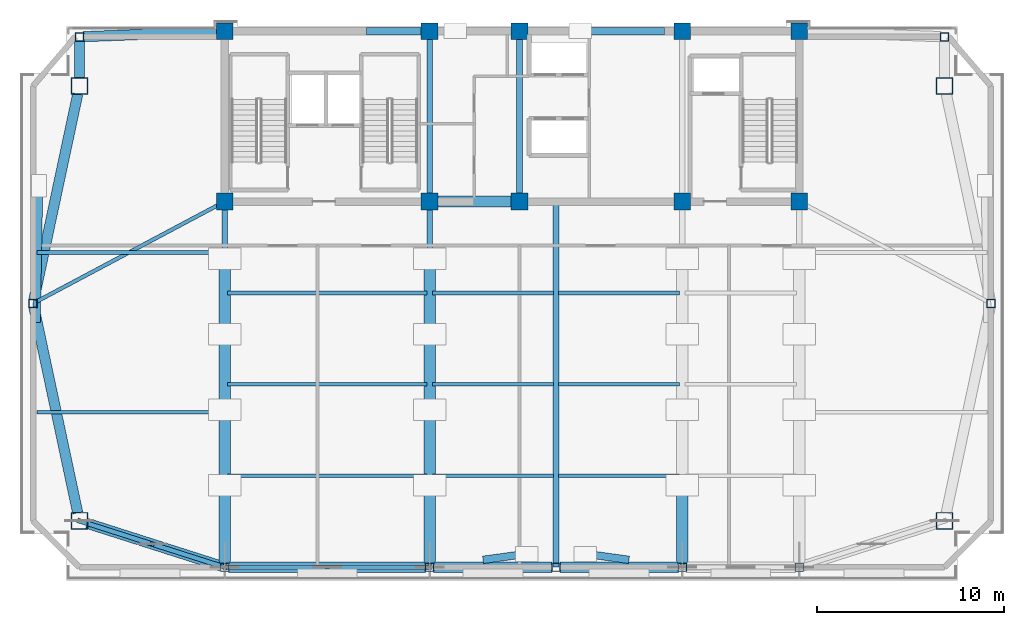
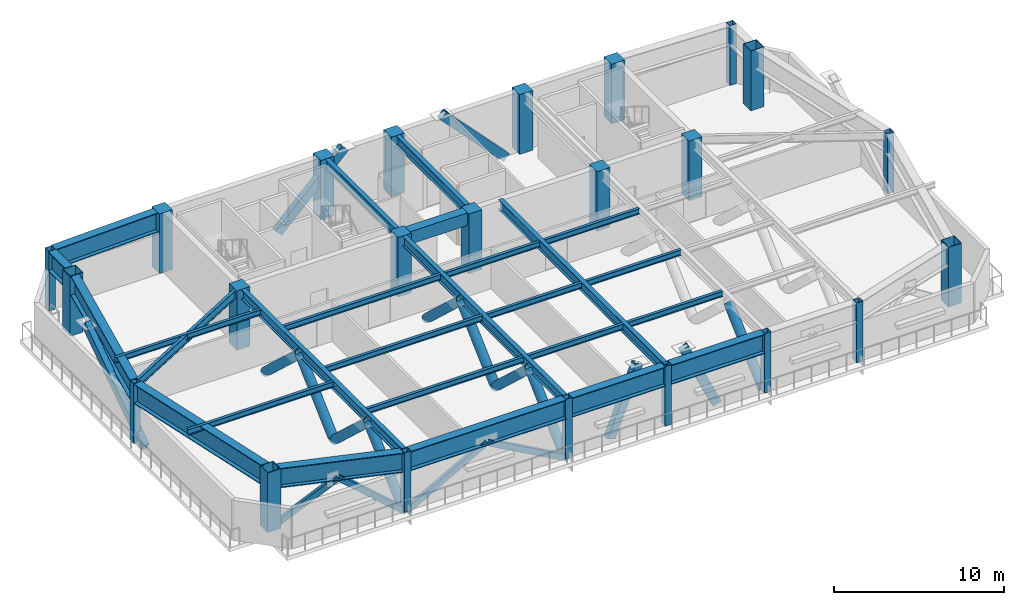
# One storey, part 1 of 8: 26 beams, 23 columns, 18 members.
"""IFC4 building model written with IfcOpenShell, lengths in metres."""

from ifc_helpers import new_model, si_unit, direction, frame, origin, origin_2d, place, context, subcontext, project, spatial, rectangle, hollow_rectangle, hollow_circle, i_section, extrude, source, transform, mapped, material, material_profile, profile_set, type_object, element, save


model = new_model("IFC4")

# Units and contexts
model_context = context("Model", 3, precision=1e-05, world=origin(), true_north=direction((0.0, 1.0)))
body_context = subcontext(model_context, "Body", "Model", "MODEL_VIEW")
ifc_project = project(units=[si_unit("LENGTHUNIT", "METRE"), si_unit("AREAUNIT", "SQUARE_METRE"), si_unit("VOLUMEUNIT", "CUBIC_METRE"), si_unit("PLANEANGLEUNIT", "RADIAN"), si_unit("MASSUNIT", "GRAM", prefix="KILO")], contexts=[model_context])

# Site, building, storey
site_placement = place(None, origin())
site = spatial("IfcSite", under=ifc_project, at=site_placement, CompositionType="ELEMENT")
building_placement = place(site_placement, origin())
building = spatial("IfcBuilding", under=site, at=building_placement, Name="Giltprow Tower", CompositionType="ELEMENT")
storey_placement = place(building_placement, frame((0.0, 0.0, 285.89990234375)))
storey = spatial("IfcBuildingStorey", under=building, at=storey_placement, Name="L73", CompositionType="ELEMENT", Elevation=285.89990234375)

# Columns
ifc_material_1 = material(Name="Concrete C45", Category="concrete")
ifc_material_profile_1 = material_profile(ifc_material_1, rectangle(XDim=0.89990234375, YDim=0.89990234375, at=origin_2d()), Name="RC 900x900")
ifc_profile_set_1 = profile_set([ifc_material_profile_1], Name="Concrete C45")
column_type_1 = type_object("IfcColumnType", Name="PIL-RC-900-C45", PredefinedType="PILASTER", material=ifc_profile_set_1)
shared_shape_1 = source(origin(), body_context, "Body", "SweptSolid", [
    extrude(rectangle(XDim=0.89990234375, YDim=0.89990234375, at=origin_2d()), origin(), (0.0, 0.0, 1.0), 4.28515625),
])
for number, where, z_axis, x_axis, name in (
    (1, (19.85009765625, 37.449951171875, 0.0), (0.0, 0.0, 1.0), (1.0, 0.0, 0.0), "L73 Core Boundary Pilaster 1-1"),
    (2, (19.85009765625, 46.550048828125, 0.0), (0.0, 0.0, 1.0), (1.0, 0.0, 0.0), "L73 Core Boundary Pilaster 1-2"),
    (3, (30.800048828125, 37.449951171875, 0.0), (0.0, 0.0, 1.0), (1.0, 0.0, 0.0), "L73 Core Boundary Pilaster 2-1"),
    (4, (30.800048828125, 46.550048828125, 0.0), (0.0, 0.0, 1.0), (1.0, 0.0, 0.0), "L73 Core Boundary Pilaster 2-2"),
    (5, (35.60009765625, 37.449951171875, 0.0), (0.0, 0.0, 1.0), (1.0, 0.0, 0.0), "L73 Core Boundary Pilaster 3-1"),
    (6, (35.60009765625, 46.550048828125, 0.0), (0.0, 0.0, 1.0), (1.0, 0.0, 0.0), "L73 Core Boundary Pilaster 3-2"),
    (7, (44.300048828125, 37.449951171875, 0.0), (0.0, 0.0, 1.0), (1.0, 0.0, 0.0), "L73 Core Boundary Pilaster 4-1"),
    (8, (44.300048828125, 46.550048828125, 0.0), (0.0, 0.0, 1.0), (1.0, 0.0, 0.0), "L73 Core Boundary Pilaster 4-2"),
    (9, (50.550048828125, 37.449951171875, 0.0), (0.0, 0.0, 1.0), (1.0, 0.0, 0.0), "L73 Core Boundary Pilaster 5-1"),
    (10, (50.550048828125, 46.550048828125, 0.0), (0.0, 0.0, 1.0), (1.0, 0.0, 0.0), "L73 Core Boundary Pilaster 5-2"),
):
    element("IfcColumn", number, at=place(storey_placement, frame(where, z_axis=z_axis, x_axis=x_axis)), inside=storey, type_object=column_type_1, Name=name, PredefinedType="PILASTER", context=body_context, shape_type="MappedRepresentation", body=[
        mapped(shared_shape_1, transform((0.0, 0.0, 0.0), x_axis=(1.0, 0.0, 0.0), y_axis=(0.0, 1.0, 0.0), z_axis=(0.0, 0.0, 1.0), scale=1.0)),
    ])
ifc_material_2 = material(Name="Structural steel Q420GJC", Category="steel")
ifc_material_profile_2 = material_profile(ifc_material_2, hollow_rectangle(XDim=0.89990234375, YDim=0.89990234375, WallThickness=0.0400390625, at=origin_2d()), Name="BOX 900x900x40")
ifc_profile_set_2 = profile_set([ifc_material_profile_2], Name="Structural steel Q420GJC")
column_type_2 = type_object("IfcColumnType", Name="COL-BOX-900x900x40", PredefinedType="COLUMN", material=ifc_profile_set_2)
shared_shape_2 = source(origin(), body_context, "Body", "SweptSolid", [
    extrude(hollow_rectangle(XDim=0.89990234375, YDim=0.89990234375, WallThickness=0.0400390625, at=origin_2d()), origin(), (0.0, 0.0, 1.0), 4.28515625),
])
for number, where, z_axis, x_axis, name in (
    (11, (12.0859375, 20.385009765625, 0.0), (0.0, 0.0, 1.0), (1.0, 0.0, 0.0), "L73 Mega-Column MC_SW"),
    (12, (58.31396484375, 20.385009765625, 0.0), (0.0, 0.0, 1.0), (1.0, 0.0, 0.0), "L73 Mega-Column MC_SE"),
    (13, (12.0859375, 43.6220703125, 0.0), (0.0, 0.0, 1.0), (1.0, 0.0, 0.0), "L73 Mega-Column MC_NW"),
    (14, (58.31396484375, 43.6220703125, 0.0), (0.0, 0.0, 1.0), (1.0, 0.0, 0.0), "L73 Mega-Column MC_NE"),
):
    element("IfcColumn", number, at=place(storey_placement, frame(where, z_axis=z_axis, x_axis=x_axis)), inside=storey, type_object=column_type_2, Name=name, PredefinedType="COLUMN", context=body_context, shape_type="MappedRepresentation", body=[
        mapped(shared_shape_2, transform((0.0, 0.0, 0.0), x_axis=(1.0, 0.0, 0.0), y_axis=(0.0, 1.0, 0.0), z_axis=(0.0, 0.0, 1.0), scale=1.0)),
    ])
ifc_material_3 = material(Name="Structural steel Q355B", Category="steel")
ifc_material_profile_3 = material_profile(ifc_material_3, hollow_rectangle(XDim=0.449951171875, YDim=0.449951171875, WallThickness=0.02197265625, at=origin_2d()), Name="BOX 450x450x22")
ifc_profile_set_3 = profile_set([ifc_material_profile_3], Name="Structural steel Q355B")
column_type_3 = type_object("IfcColumnType", Name="COL-BOX-450x450x22", PredefinedType="COLUMN", material=ifc_profile_set_3)
shared_shape_3 = source(origin(), body_context, "Body", "SweptSolid", [
    extrude(hollow_rectangle(XDim=0.449951171875, YDim=0.449951171875, WallThickness=0.02197265625, at=origin_2d()), origin(), (0.0, 0.0, 1.0), 4.28515625),
])
for number, where, z_axis, x_axis, name in (
    (15, (19.85009765625, 17.907958984375, 0.0), (0.0, 0.0, 1.0), (1.0, 0.0, 0.0), "L73 Perimeter Column S1"),
    (16, (30.800048828125, 17.907958984375, 0.0), (0.0, 0.0, 1.0), (1.0, 0.0, 0.0), "L73 Perimeter Column S2"),
    (17, (37.550048828125, 17.907958984375, 0.0), (0.0, 0.0, 1.0), (1.0, 0.0, 0.0), "L73 Perimeter Column S_MID"),
    (18, (44.300048828125, 17.907958984375, 0.0), (0.0, 0.0, 1.0), (1.0, 0.0, 0.0), "L73 Perimeter Column S3"),
    (19, (50.550048828125, 17.907958984375, 0.0), (0.0, 0.0, 1.0), (1.0, 0.0, 0.0), "L73 Perimeter Column S4"),
    (20, (9.60888671875, 32.00390625, 0.0), (0.0, 0.0, 1.0), (1.0, 0.0, 0.0), "L73 Perimeter Column W_MID"),
    (21, (60.791015625, 32.00390625, 0.0), (0.0, 0.0, 1.0), (1.0, 0.0, 0.0), "L73 Perimeter Column E_MID"),
    (22, (12.0859375, 46.25, 0.0), (0.0, 0.0, 1.0), (1.0, 0.0, 0.0), "L73 Perimeter Column N_W"),
    (23, (58.31396484375, 46.25, 0.0), (0.0, 0.0, 1.0), (1.0, 0.0, 0.0), "L73 Perimeter Column N_E"),
):
    element("IfcColumn", number, at=place(storey_placement, frame(where, z_axis=z_axis, x_axis=x_axis)), inside=storey, type_object=column_type_3, Name=name, PredefinedType="COLUMN", context=body_context, shape_type="MappedRepresentation", body=[
        mapped(shared_shape_3, transform((0.0, 0.0, 0.0), x_axis=(1.0, 0.0, 0.0), y_axis=(0.0, 1.0, 0.0), z_axis=(0.0, 0.0, 1.0), scale=1.0)),
    ])

# Beams
ifc_material_profile_4 = material_profile(ifc_material_3, i_section(OverallWidth=0.199951171875, OverallDepth=0.39990234375, WebThickness=0.008056640625, FlangeThickness=0.012939453125, at=origin_2d()), Name="HN 400x200x8x13")
ifc_profile_set_4 = profile_set([ifc_material_profile_4], Name="Structural steel Q355B")
beam_type_1 = type_object("IfcBeamType", Name="BM-JOIST-HN400", PredefinedType="JOIST", material=ifc_profile_set_4)
shared_shape_4 = source(origin(), body_context, "Body", "SweptSolid", [
    extrude(i_section(OverallWidth=0.199951171875, OverallDepth=0.39990234375, WebThickness=0.008056640625, FlangeThickness=0.012939453125, at=origin_2d()), origin(), (0.0, 0.0, 1.0), 10.659912109375),
])
for number, where, z_axis, x_axis, name in (
    (24, (19.9951171875, 22.7939453125, 4.085205078125), (1.0, 0.0, 0.0), (0.0, 1.0, 0.0), "L73 Composite Floor Joist 1-1"),
    (25, (19.9951171875, 27.678955078125, 4.085205078125), (1.0, 0.0, 0.0), (0.0, 1.0, 0.0), "L73 Composite Floor Joist 2-1"),
    (26, (19.9951171875, 32.56494140625, 4.085205078125), (1.0, 0.0, 0.0), (0.0, 1.0, 0.0), "L73 Composite Floor Joist 3-1"),
):
    element("IfcBeam", number, at=place(storey_placement, frame(where, z_axis=z_axis, x_axis=x_axis)), inside=storey, type_object=beam_type_1, Name=name, PredefinedType="JOIST", context=body_context, shape_type="MappedRepresentation", body=[
        mapped(shared_shape_4, transform((0.0, 0.0, 0.0), x_axis=(1.0, 0.0, 0.0), y_axis=(0.0, 1.0, 0.0), z_axis=(0.0, 0.0, 1.0), scale=1.0)),
    ])
shared_shape_5 = source(origin(), body_context, "Body", "SweptSolid", [
    extrude(i_section(OverallWidth=0.199951171875, OverallDepth=0.39990234375, WebThickness=0.008056640625, FlangeThickness=0.012939453125, at=origin_2d()), origin(), (0.0, 0.0, 1.0), 6.4599609375),
])
for number, where, z_axis, x_axis, name in (
    (27, (30.945068359375, 22.7939453125, 4.085205078125), (1.0, 0.0, 0.0), (0.0, 1.0, 0.0), "L73 Composite Floor Joist 1-2"),
    (28, (37.695068359375, 22.7939453125, 4.085205078125), (1.0, 0.0, 0.0), (0.0, 1.0, 0.0), "L73 Composite Floor Joist 1-3"),
    (29, (30.945068359375, 27.678955078125, 4.085205078125), (1.0, 0.0, 0.0), (0.0, 1.0, 0.0), "L73 Composite Floor Joist 2-2"),
    (30, (37.695068359375, 27.678955078125, 4.085205078125), (1.0, 0.0, 0.0), (0.0, 1.0, 0.0), "L73 Composite Floor Joist 2-3"),
    (31, (30.945068359375, 32.56494140625, 4.085205078125), (1.0, 0.0, 0.0), (0.0, 1.0, 0.0), "L73 Composite Floor Joist 3-2"),
    (32, (37.695068359375, 32.56494140625, 4.085205078125), (1.0, 0.0, 0.0), (0.0, 1.0, 0.0), "L73 Composite Floor Joist 3-3"),
):
    element("IfcBeam", number, at=place(storey_placement, frame(where, z_axis=z_axis, x_axis=x_axis)), inside=storey, type_object=beam_type_1, Name=name, PredefinedType="JOIST", context=body_context, shape_type="MappedRepresentation", body=[
        mapped(shared_shape_5, transform((0.0, 0.0, 0.0), x_axis=(1.0, 0.0, 0.0), y_axis=(0.0, 1.0, 0.0), z_axis=(0.0, 0.0, 1.0), scale=1.0)),
    ])
ifc_material_4 = material(Name="Concrete C50", Category="concrete")
ifc_material_profile_5 = material_profile(ifc_material_4, rectangle(XDim=0.60009765625, YDim=0.89990234375, at=origin_2d()), Name="RC 900x600")
ifc_profile_set_5 = profile_set([ifc_material_profile_5], Name="Concrete C50")
beam_type_2 = type_object("IfcBeamType", Name="BM-CPL-RC900", PredefinedType="LINTEL", material=ifc_profile_set_5)
shared_shape_6 = source(origin(), body_context, "Body", "SweptSolid", [
    extrude(rectangle(XDim=0.60009765625, YDim=0.89990234375, at=origin_2d()), origin(), (0.0, 0.0, 1.0), 3.929931640625),
])
beam_1_placement = place(storey_placement, frame((31.235107421875, 37.449951171875, 3.835205078125), z_axis=(1.0, 0.0, 0.0), x_axis=(0.0, 1.0, 0.0)))
element("IfcBeam", 33, at=beam_1_placement, inside=storey, type_object=beam_type_2, Name="L73 Core Coupling Beam CB-1", PredefinedType="LINTEL", context=body_context, shape_type="MappedRepresentation", body=[
    mapped(shared_shape_6, transform((0.0, 0.0, 0.0), x_axis=(1.0, 0.0, 0.0), y_axis=(0.0, 1.0, 0.0), z_axis=(0.0, 0.0, 1.0), scale=1.0)),
])
ifc_material_profile_6 = material_profile(ifc_material_3, i_section(OverallWidth=0.300048828125, OverallDepth=0.699951171875, WebThickness=0.012939453125, FlangeThickness=0.02392578125, at=origin_2d()), Name="HN 700x300x13x24")
ifc_profile_set_6 = profile_set([ifc_material_profile_6], Name="Structural steel Q355B")
beam_type_3 = type_object("IfcBeamType", Name="BM-GIRD-HN700", PredefinedType="BEAM", material=ifc_profile_set_6)
shared_shape_7 = source(origin(), body_context, "Body", "SweptSolid", [
    extrude(i_section(OverallWidth=0.300048828125, OverallDepth=0.699951171875, WebThickness=0.012939453125, FlangeThickness=0.02392578125, at=origin_2d()), origin(), (0.0, 0.0, 1.0), 8.22998046875),
])
for number, where, z_axis, x_axis, name in (
    (34, (30.800048828125, 37.885009765625, 3.93505859375), (0.0, 1.0, 0.0), (-1.0, 0.0, 0.0), "L73 Core Tie Girder M1"),
    (35, (35.60009765625, 37.885009765625, 3.93505859375), (0.0, 1.0, 0.0), (-1.0, 0.0, 0.0), "L73 Core Tie Girder M2"),
):
    element("IfcBeam", number, at=place(storey_placement, frame(where, z_axis=z_axis, x_axis=x_axis)), inside=storey, type_object=beam_type_3, Name=name, PredefinedType="BEAM", context=body_context, shape_type="MappedRepresentation", body=[
        mapped(shared_shape_7, transform((0.0, 0.0, 0.0), x_axis=(1.0, 0.0, 0.0), y_axis=(0.0, 1.0, 0.0), z_axis=(0.0, 0.0, 1.0), scale=1.0)),
    ])
shared_shape_8 = source(origin(), body_context, "Body", "SweptSolid", [
    extrude(i_section(OverallWidth=0.300048828125, OverallDepth=0.699951171875, WebThickness=0.012939453125, FlangeThickness=0.02392578125, at=origin_2d()), origin(), (0.0, 0.0, 1.0), 18.89697265625),
])
for number, where, z_axis, x_axis, name in (
    (36, (19.85009765625, 18.117919921875, 3.93505859375), (0.0, 1.0, 0.0), (-1.0, 0.0, 0.0), "L73 Primary Lease Girder S1"),
    (37, (30.800048828125, 18.117919921875, 3.93505859375), (0.0, 1.0, 0.0), (-1.0, 0.0, 0.0), "L73 Primary Lease Girder S2"),
):
    element("IfcBeam", number, at=place(storey_placement, frame(where, z_axis=z_axis, x_axis=x_axis)), inside=storey, type_object=beam_type_3, Name=name, PredefinedType="BEAM", context=body_context, shape_type="MappedRepresentation", body=[
        mapped(shared_shape_8, transform((0.0, 0.0, 0.0), x_axis=(1.0, 0.0, 0.0), y_axis=(0.0, 1.0, 0.0), z_axis=(0.0, 0.0, 1.0), scale=1.0)),
    ])
shared_shape_9 = source(origin(), body_context, "Body", "SweptSolid", [
    extrude(i_section(OverallWidth=0.300048828125, OverallDepth=0.699951171875, WebThickness=0.012939453125, FlangeThickness=0.02392578125, at=origin_2d()), origin(), (0.0, 0.0, 1.0), 19.5419921875),
])
beam_2_placement = place(storey_placement, frame((37.550048828125, 17.907958984375, 3.93505859375), z_axis=(0.0, 1.0, 0.0), x_axis=(-1.0, 0.0, 0.0)))
element("IfcBeam", 38, at=beam_2_placement, inside=storey, type_object=beam_type_3, Name="L73 Central Lease Girder SMID", PredefinedType="BEAM", context=body_context, shape_type="MappedRepresentation", body=[
    mapped(shared_shape_9, transform((0.0, 0.0, 0.0), x_axis=(1.0, 0.0, 0.0), y_axis=(0.0, 1.0, 0.0), z_axis=(0.0, 0.0, 1.0), scale=1.0)),
])
ifc_material_profile_7 = material_profile(ifc_material_3, i_section(OverallWidth=0.199951171875, OverallDepth=0.60009765625, WebThickness=0.010986328125, FlangeThickness=0.01708984375, at=origin_2d()), Name="HN 600x200x11x17")
ifc_profile_set_7 = profile_set([ifc_material_profile_7], Name="Structural steel Q355B")
beam_type_4 = type_object("IfcBeamType", Name="BM-GIRD-HN600", PredefinedType="BEAM", material=ifc_profile_set_7)
shared_shape_10 = source(origin(), body_context, "Body", "SweptSolid", [
    extrude(i_section(OverallWidth=0.199951171875, OverallDepth=0.60009765625, WebThickness=0.010986328125, FlangeThickness=0.01708984375, at=origin_2d()), origin(), (0.0, 0.0, 1.0), 10.95458984375),
])
beam_3_placement = place(storey_placement, frame((9.7939453125, 32.10302734375, 3.985107421875), z_axis=(0.882935883546, 0.469493584138, 0.0), x_axis=(-0.469493584138, 0.882935883546, 0.0)))
element("IfcBeam", 39, at=beam_3_placement, inside=storey, type_object=beam_type_4, Name="L73 West Wing Primary Girder", PredefinedType="BEAM", context=body_context, shape_type="MappedRepresentation", body=[
    mapped(shared_shape_10, transform((0.0, 0.0, 0.0), x_axis=(1.0, 0.0, 0.0), y_axis=(0.0, 1.0, 0.0), z_axis=(0.0, 0.0, 1.0), scale=1.0)),
])
shared_shape_11 = source(origin(), body_context, "Body", "SweptSolid", [
    extrude(i_section(OverallWidth=0.199951171875, OverallDepth=0.39990234375, WebThickness=0.008056640625, FlangeThickness=0.012939453125, at=origin_2d()), origin(), (0.0, 0.0, 1.0), 9.8759765625),
])
for number, where, z_axis, x_axis, name in (
    (40, (9.8291015625, 26.194091796875, 4.085205078125), (1.0, 0.0, 0.0), (0.0, 1.0, 0.0), "L73 West Wing Floor Joist 1"),
    (41, (9.8291015625, 34.72705078125, 4.085205078125), (1.0, 0.0, 0.0), (0.0, 1.0, 0.0), "L73 West Wing Floor Joist 2"),
):
    element("IfcBeam", number, at=place(storey_placement, frame(where, z_axis=z_axis, x_axis=x_axis)), inside=storey, type_object=beam_type_1, Name=name, PredefinedType="JOIST", context=body_context, shape_type="MappedRepresentation", body=[
        mapped(shared_shape_11, transform((0.0, 0.0, 0.0), x_axis=(1.0, 0.0, 0.0), y_axis=(0.0, 1.0, 0.0), z_axis=(0.0, 0.0, 1.0), scale=1.0)),
    ])
ifc_material_profile_8 = material_profile(ifc_material_2, i_section(OverallWidth=0.550048828125, OverallDepth=1.39990234375, WebThickness=0.031982421875, FlangeThickness=0.050048828125, at=origin_2d()), Name="WH 1400x550x32x50")
ifc_profile_set_8 = profile_set([ifc_material_profile_8], Name="Structural steel Q420GJC")
beam_type_5 = type_object("IfcBeamType", Name="BM-XFER-WH1400", PredefinedType="BEAM", material=ifc_profile_set_8)
shared_shape_12 = source(origin(), body_context, "Body", "SweptSolid", [
    extrude(i_section(OverallWidth=0.550048828125, OverallDepth=1.39990234375, WebThickness=0.031982421875, FlangeThickness=0.050048828125, at=origin_2d()), origin(), (0.0, 0.0, 1.0), 7.5048828125),
])
beam_4_placement = place(storey_placement, frame((12.5, 20.2529296875, 3.585205078125), z_axis=(0.952693085845, -0.303934012875, 0.0), x_axis=(0.303934012875, 0.952693085845, 0.0)))
element("IfcBeam", 42, at=beam_4_placement, inside=storey, type_object=beam_type_5, Name="L73 Perimeter Spandrel Beam MC_SW-S1", PredefinedType="BEAM", context=body_context, shape_type="MappedRepresentation", body=[
    mapped(shared_shape_12, transform((0.0, 0.0, 0.0), x_axis=(1.0, 0.0, 0.0), y_axis=(0.0, 1.0, 0.0), z_axis=(0.0, 0.0, 1.0), scale=1.0)),
])
shared_shape_13 = source(origin(), body_context, "Body", "SweptSolid", [
    extrude(i_section(OverallWidth=0.550048828125, OverallDepth=1.39990234375, WebThickness=0.031982421875, FlangeThickness=0.050048828125, at=origin_2d()), origin(), (0.0, 0.0, 1.0), 10.530029296875),
])
beam_5_placement = place(storey_placement, frame((20.06005859375, 17.907958984375, 3.585205078125), z_axis=(1.0, 0.0, 0.0), x_axis=(0.0, 1.0, 0.0)))
element("IfcBeam", 43, at=beam_5_placement, inside=storey, type_object=beam_type_5, Name="L73 Perimeter Spandrel Beam S1-S2", PredefinedType="BEAM", context=body_context, shape_type="MappedRepresentation", body=[
    mapped(shared_shape_13, transform((0.0, 0.0, 0.0), x_axis=(1.0, 0.0, 0.0), y_axis=(0.0, 1.0, 0.0), z_axis=(0.0, 0.0, 1.0), scale=1.0)),
])
shared_shape_14 = source(origin(), body_context, "Body", "SweptSolid", [
    extrude(i_section(OverallWidth=0.550048828125, OverallDepth=1.39990234375, WebThickness=0.031982421875, FlangeThickness=0.050048828125, at=origin_2d()), origin(), (0.0, 0.0, 1.0), 6.330078125),
])
for number, where, z_axis, x_axis, name in (
    (44, (31.010009765625, 17.907958984375, 3.585205078125), (1.0, 0.0, 0.0), (0.0, 1.0, 0.0), "L73 Perimeter Spandrel Beam S2-S_MID"),
    (45, (37.760009765625, 17.907958984375, 3.585205078125), (1.0, 0.0, 0.0), (0.0, 1.0, 0.0), "L73 Perimeter Spandrel Beam S_MID-S3"),
):
    element("IfcBeam", number, at=place(storey_placement, frame(where, z_axis=z_axis, x_axis=x_axis)), inside=storey, type_object=beam_type_5, Name=name, PredefinedType="BEAM", context=body_context, shape_type="MappedRepresentation", body=[
        mapped(shared_shape_14, transform((0.0, 0.0, 0.0), x_axis=(1.0, 0.0, 0.0), y_axis=(0.0, 1.0, 0.0), z_axis=(0.0, 0.0, 1.0), scale=1.0)),
    ])
shared_shape_15 = source(origin(), body_context, "Body", "SweptSolid", [
    extrude(i_section(OverallWidth=0.550048828125, OverallDepth=1.39990234375, WebThickness=0.031982421875, FlangeThickness=0.050048828125, at=origin_2d()), origin(), (0.0, 0.0, 1.0), 11.23583984375),
])
beam_6_placement = place(storey_placement, frame((9.653076171875, 31.799072265625, 3.585205078125), z_axis=(0.208444216546, -0.97803425737, 0.0), x_axis=(0.97803425737, 0.208444216546, 0.0)))
element("IfcBeam", 46, at=beam_6_placement, inside=storey, type_object=beam_type_5, Name="L73 Perimeter Spandrel Beam W_MID-MC_SW", PredefinedType="BEAM", context=body_context, shape_type="MappedRepresentation", body=[
    mapped(shared_shape_15, transform((0.0, 0.0, 0.0), x_axis=(1.0, 0.0, 0.0), y_axis=(0.0, 1.0, 0.0), z_axis=(0.0, 0.0, 1.0), scale=1.0)),
])
shared_shape_16 = source(origin(), body_context, "Body", "SweptSolid", [
    extrude(i_section(OverallWidth=0.550048828125, OverallDepth=1.39990234375, WebThickness=0.031982421875, FlangeThickness=0.050048828125, at=origin_2d()), origin(), (0.0, 0.0, 1.0), 11.23486328125),
])
beam_7_placement = place(storey_placement, frame((11.9951171875, 43.197021484375, 3.585205078125), z_axis=(-0.208461937022, -0.978030480513, 0.0), x_axis=(0.978030480513, -0.208461937022, 0.0)))
element("IfcBeam", 47, at=beam_7_placement, inside=storey, type_object=beam_type_5, Name="L73 Perimeter Spandrel Beam MC_NW-W_MID", PredefinedType="BEAM", context=body_context, shape_type="MappedRepresentation", body=[
    mapped(shared_shape_16, transform((0.0, 0.0, 0.0), x_axis=(1.0, 0.0, 0.0), y_axis=(0.0, 1.0, 0.0), z_axis=(0.0, 0.0, 1.0), scale=1.0)),
])
shared_shape_17 = source(origin(), body_context, "Body", "SweptSolid", [
    extrude(i_section(OverallWidth=0.550048828125, OverallDepth=1.39990234375, WebThickness=0.031982421875, FlangeThickness=0.050048828125, at=origin_2d()), origin(), (0.0, 0.0, 1.0), 1.983154296875),
])
beam_8_placement = place(storey_placement, frame((12.0859375, 46.0400390625, 3.585205078125), z_axis=(0.0, -1.0, 0.0), x_axis=(1.0, 0.0, 0.0)))
element("IfcBeam", 48, at=beam_8_placement, inside=storey, type_object=beam_type_5, Name="L73 Perimeter Spandrel Beam N_W-MC_NW", PredefinedType="BEAM", context=body_context, shape_type="MappedRepresentation", body=[
    mapped(shared_shape_17, transform((0.0, 0.0, 0.0), x_axis=(1.0, 0.0, 0.0), y_axis=(0.0, 1.0, 0.0), z_axis=(0.0, 0.0, 1.0), scale=1.0)),
])
shared_shape_18 = source(origin(), body_context, "Body", "SweptSolid", [
    extrude(i_section(OverallWidth=0.550048828125, OverallDepth=1.39990234375, WebThickness=0.031982421875, FlangeThickness=0.050048828125, at=origin_2d()), origin(), (0.0, 0.0, 1.0), 7.12451171875),
])
beam_9_placement = place(storey_placement, frame((12.2958984375, 46.258056640625, 3.585205078125), z_axis=(0.999255291346, 0.038585783884, 0.0), x_axis=(-0.038585783884, 0.999255291346, 0.0)))
element("IfcBeam", 49, at=beam_9_placement, inside=storey, type_object=beam_type_5, Name="L73 North Wing Spandrel W", PredefinedType="BEAM", context=body_context, shape_type="MappedRepresentation", body=[
    mapped(shared_shape_18, transform((0.0, 0.0, 0.0), x_axis=(1.0, 0.0, 0.0), y_axis=(0.0, 1.0, 0.0), z_axis=(0.0, 0.0, 1.0), scale=1.0)),
])

# Members
ifc_material_profile_9 = material_profile(ifc_material_2, hollow_circle(Radius=0.304931640625, WallThickness=0.028076171875, at=origin_2d()), Name="CHS 610x28")
ifc_profile_set_9 = profile_set([ifc_material_profile_9], Name="Structural steel Q420GJC")
member_type_1 = type_object("IfcMemberType", Name="MBR-OUTR-CHS610", PredefinedType="BRACE", material=ifc_profile_set_9)
shared_shape_19 = source(origin(), body_context, "Body", "SweptSolid", [
    extrude(hollow_circle(Radius=0.304931640625, WallThickness=0.028076171875, at=origin_2d()), origin(), (0.0, 0.0, 1.0), 5.5048828125),
])
for number, where, z_axis, x_axis, name in (
    (50, (19.85009765625, 18.258056640625, -0.079833984375), (0.0, 0.732959323738, 0.680272467285), (-1.0, 0.0, 0.0), "L73 Outrigger Truss Diagonal S1-1"),
    (51, (19.85009765625, 26.3291015625, -0.079833984375), (0.0, 0.732959323738, 0.680272467285), (-1.0, 0.0, 0.0), "L73 Outrigger Truss Diagonal S1-3"),
    (52, (30.800048828125, 18.258056640625, -0.079833984375), (0.0, 0.732959323738, 0.680272467285), (-1.0, 0.0, 0.0), "L73 Outrigger Truss Diagonal S2-1"),
    (53, (30.800048828125, 26.3291015625, -0.079833984375), (0.0, 0.732959323738, 0.680272467285), (-1.0, 0.0, 0.0), "L73 Outrigger Truss Diagonal S2-3"),
    (54, (44.300048828125, 18.258056640625, -0.079833984375), (0.0, 0.732959323738, 0.680272467285), (-1.0, 0.0, 0.0), "L73 Outrigger Truss Diagonal S3-1"),
):
    element("IfcMember", number, at=place(storey_placement, frame(where, z_axis=z_axis, x_axis=x_axis)), inside=storey, type_object=member_type_1, Name=name, PredefinedType="BRACE", context=body_context, shape_type="MappedRepresentation", body=[
        mapped(shared_shape_19, transform((0.0, 0.0, 0.0), x_axis=(1.0, 0.0, 0.0), y_axis=(0.0, 1.0, 0.0), z_axis=(0.0, 0.0, 1.0), scale=1.0)),
    ])
shared_shape_20 = source(origin(), body_context, "Body", "SweptSolid", [
    extrude(hollow_circle(Radius=0.304931640625, WallThickness=0.028076171875, at=origin_2d()), origin(), (0.0, 0.0, 1.0), 5.505859375),
])
for number, where, z_axis, x_axis, name in (
    (55, (19.85009765625, 22.29296875, 3.6650390625), (0.0, 0.733061916274, -0.680161912275), (-1.0, 0.0, 0.0), "L73 Outrigger Truss Diagonal S1-2"),
    (56, (30.800048828125, 22.29296875, 3.6650390625), (0.0, 0.733061916274, -0.680161912275), (-1.0, 0.0, 0.0), "L73 Outrigger Truss Diagonal S2-2"),
):
    element("IfcMember", number, at=place(storey_placement, frame(where, z_axis=z_axis, x_axis=x_axis)), inside=storey, type_object=member_type_1, Name=name, PredefinedType="BRACE", context=body_context, shape_type="MappedRepresentation", body=[
        mapped(shared_shape_20, transform((0.0, 0.0, 0.0), x_axis=(1.0, 0.0, 0.0), y_axis=(0.0, 1.0, 0.0), z_axis=(0.0, 0.0, 1.0), scale=1.0)),
    ])
shared_shape_21 = source(origin(), body_context, "Body", "SweptSolid", [
    extrude(hollow_circle(Radius=0.304931640625, WallThickness=0.028076171875, at=origin_2d()), origin(), (0.0, 0.0, 1.0), 5.505615234375),
])
for number, where, z_axis, x_axis, name in (
    (57, (19.85009765625, 30.364013671875, 3.6650390625), (0.0, 0.733041401768, -0.68018402164), (-1.0, 0.0, 0.0), "L73 Outrigger Truss Diagonal S1-4"),
    (58, (30.800048828125, 30.364013671875, 3.6650390625), (0.0, 0.733041401768, -0.68018402164), (-1.0, 0.0, 0.0), "L73 Outrigger Truss Diagonal S2-4"),
):
    element("IfcMember", number, at=place(storey_placement, frame(where, z_axis=z_axis, x_axis=x_axis)), inside=storey, type_object=member_type_1, Name=name, PredefinedType="BRACE", context=body_context, shape_type="MappedRepresentation", body=[
        mapped(shared_shape_21, transform((0.0, 0.0, 0.0), x_axis=(1.0, 0.0, 0.0), y_axis=(0.0, 1.0, 0.0), z_axis=(0.0, 0.0, 1.0), scale=1.0)),
    ])
ifc_material_profile_10 = material_profile(ifc_material_2, hollow_rectangle(XDim=0.25, YDim=0.39990234375, WallThickness=0.01806640625, at=origin_2d()), Name="RHS 400x250x18")
ifc_profile_set_10 = profile_set([ifc_material_profile_10], Name="Structural steel Q420GJC")
member_type_2 = type_object("IfcMemberType", Name="MBR-BELT-RHS400", PredefinedType="CHORD", material=ifc_profile_set_10)
shared_shape_22 = source(origin(), body_context, "Body", "SweptSolid", [
    extrude(hollow_rectangle(XDim=0.25, YDim=0.39990234375, WallThickness=0.01806640625, at=origin_2d()), origin(), (0.0, 0.0, 1.0), 5.086669921875),
])
member_1_placement = place(storey_placement, frame((12.0859375, 20.385009765625, -0.079833984375), z_axis=(0.763177802202, -0.243385613167, 0.598600940134), x_axis=(0.303834226849, 0.95272491444, 0.0)))
element("IfcMember", 59, at=member_1_placement, inside=storey, type_object=member_type_2, Name="L73 Belt-Truss Diagonal 1-1", PredefinedType="CHORD", context=body_context, shape_type="MappedRepresentation", body=[
    mapped(shared_shape_22, transform((0.0, 0.0, 0.0), x_axis=(1.0, 0.0, 0.0), y_axis=(0.0, 1.0, 0.0), z_axis=(0.0, 0.0, 1.0), scale=1.0)),
])
shared_shape_23 = source(origin(), body_context, "Body", "SweptSolid", [
    extrude(hollow_rectangle(XDim=0.25, YDim=0.39990234375, WallThickness=0.01806640625, at=origin_2d()), origin(), (0.0, 0.0, 1.0), 5.0869140625),
])
member_2_placement = place(storey_placement, frame((19.85009765625, 17.907958984375, -0.079833984375), z_axis=(-0.763142130592, 0.243566210474, 0.598572960992), x_axis=(-0.304051742582, -0.952655518975, 0.0)))
element("IfcMember", 60, at=member_2_placement, inside=storey, type_object=member_type_2, Name="L73 Belt-Truss Diagonal 1-2", PredefinedType="CHORD", context=body_context, shape_type="MappedRepresentation", body=[
    mapped(shared_shape_23, transform((0.0, 0.0, 0.0), x_axis=(1.0, 0.0, 0.0), y_axis=(0.0, 1.0, 0.0), z_axis=(0.0, 0.0, 1.0), scale=1.0)),
])
shared_shape_24 = source(origin(), body_context, "Body", "SweptSolid", [
    extrude(hollow_rectangle(XDim=0.25, YDim=0.39990234375, WallThickness=0.01806640625, at=origin_2d()), origin(), (0.0, 0.0, 1.0), 6.2646484375),
])
member_3_placement = place(storey_placement, frame((19.85009765625, 17.907958984375, -0.079833984375), z_axis=(0.873931074391, 0.0, 0.486049871117), x_axis=(0.0, 1.0, 0.0)))
element("IfcMember", 61, at=member_3_placement, inside=storey, type_object=member_type_2, Name="L73 Belt-Truss Diagonal 2-1", PredefinedType="CHORD", context=body_context, shape_type="MappedRepresentation", body=[
    mapped(shared_shape_24, transform((0.0, 0.0, 0.0), x_axis=(1.0, 0.0, 0.0), y_axis=(0.0, 1.0, 0.0), z_axis=(0.0, 0.0, 1.0), scale=1.0)),
])
shared_shape_25 = source(origin(), body_context, "Body", "SweptSolid", [
    extrude(hollow_rectangle(XDim=0.25, YDim=0.39990234375, WallThickness=0.01806640625, at=origin_2d()), origin(), (0.0, 0.0, 1.0), 6.264892578125),
])
member_4_placement = place(storey_placement, frame((30.800048828125, 17.907958984375, -0.079833984375), z_axis=(-0.873940280672, 0.0, 0.486033317602), x_axis=(0.0, -1.0, 0.0)))
element("IfcMember", 62, at=member_4_placement, inside=storey, type_object=member_type_2, Name="L73 Belt-Truss Diagonal 2-2", PredefinedType="CHORD", context=body_context, shape_type="MappedRepresentation", body=[
    mapped(shared_shape_25, transform((0.0, 0.0, 0.0), x_axis=(1.0, 0.0, 0.0), y_axis=(0.0, 1.0, 0.0), z_axis=(0.0, 0.0, 1.0), scale=1.0)),
])
ifc_material_profile_11 = material_profile(ifc_material_2, hollow_rectangle(XDim=0.39990234375, YDim=0.60009765625, WallThickness=0.028076171875, at=origin_2d()), Name="RHS 600x400x28")
ifc_profile_set_11 = profile_set([ifc_material_profile_11], Name="Structural steel Q420GJC")
member_type_3 = type_object("IfcMemberType", Name="MBR-MEGA-RHS600", PredefinedType="BRACE", material=ifc_profile_set_11)
shared_shape_26 = source(origin(), body_context, "Body", "SweptSolid", [
    extrude(hollow_rectangle(XDim=0.39990234375, YDim=0.60009765625, WallThickness=0.028076171875, at=origin_2d()), origin(), (0.0, 0.0, 1.0), 4.960205078125),
])
for number, where, z_axis, x_axis, name in (
    (63, (33.922119140625, 18.340087890625, 0.0), (0.416698820638, 0.057440057133, 0.907228048902), (-0.136554245016, 0.990632594945, 0.0), "L73 Chevron Mega-Brace S-L"),
    (64, (41.177978515625, 18.340087890625, 0.0), (-0.416698820638, 0.057440057133, 0.907228048902), (-0.136554245016, -0.990632594945, 0.0), "L73 Chevron Mega-Brace S-R"),
):
    element("IfcMember", number, at=place(storey_placement, frame(where, z_axis=z_axis, x_axis=x_axis)), inside=storey, type_object=member_type_3, Name=name, PredefinedType="BRACE", context=body_context, shape_type="MappedRepresentation", body=[
        mapped(shared_shape_26, transform((0.0, 0.0, 0.0), x_axis=(1.0, 0.0, 0.0), y_axis=(0.0, 1.0, 0.0), z_axis=(0.0, 0.0, 1.0), scale=1.0)),
    ])
shared_shape_27 = source(origin(), body_context, "Body", "SweptSolid", [
    extrude(hollow_rectangle(XDim=0.39990234375, YDim=0.60009765625, WallThickness=0.028076171875, at=origin_2d()), origin(), (0.0, 0.0, 1.0), 6.385986328125),
])
member_5_placement = place(storey_placement, frame((27.64599609375, 46.550048828125, -0.139892578125), z_axis=(0.709530286234, 0.0, 0.704674941315), x_axis=(0.0, 1.0, 0.0)))
element("IfcMember", 65, at=member_5_placement, inside=storey, type_object=member_type_3, Name="L73 Chevron Mega-Brace N-L", PredefinedType="BRACE", context=body_context, shape_type="MappedRepresentation", body=[
    mapped(shared_shape_27, transform((0.0, 0.0, 0.0), x_axis=(1.0, 0.0, 0.0), y_axis=(0.0, 1.0, 0.0), z_axis=(0.0, 0.0, 1.0), scale=1.0)),
])
shared_shape_28 = source(origin(), body_context, "Body", "SweptSolid", [
    extrude(hollow_rectangle(XDim=0.39990234375, YDim=0.60009765625, WallThickness=0.028076171875, at=origin_2d()), origin(), (0.0, 0.0, 1.0), 6.214599609375),
])
member_6_placement = place(storey_placement, frame((43.1240234375, 46.550048828125, -0.139892578125), z_axis=(-0.689690486208, 0.0, 0.724104297208), x_axis=(0.0, -1.0, 0.0)))
element("IfcMember", 66, at=member_6_placement, inside=storey, type_object=member_type_3, Name="L73 Chevron Mega-Brace N-R", PredefinedType="BRACE", context=body_context, shape_type="MappedRepresentation", body=[
    mapped(shared_shape_28, transform((0.0, 0.0, 0.0), x_axis=(1.0, 0.0, 0.0), y_axis=(0.0, 1.0, 0.0), z_axis=(0.0, 0.0, 1.0), scale=1.0)),
])
shared_shape_29 = source(origin(), body_context, "Body", "SweptSolid", [
    extrude(hollow_rectangle(XDim=0.39990234375, YDim=0.60009765625, WallThickness=0.028076171875, at=origin_2d()), origin(), (0.0, 0.0, 1.0), 8.430419921875),
])
member_7_placement = place(storey_placement, frame((9.801025390625, 31.156005859375, 0.0), z_axis=(0.015058771666, 0.845492110706, 0.533775537215), x_axis=(-0.999841427939, 0.017807834721, 0.0)))
element("IfcMember", 67, at=member_7_placement, inside=storey, type_object=member_type_3, Name="L73 Chevron Mega-Brace W-D", PredefinedType="BRACE", context=body_context, shape_type="MappedRepresentation", body=[
    mapped(shared_shape_29, transform((0.0, 0.0, 0.0), x_axis=(1.0, 0.0, 0.0), y_axis=(0.0, 1.0, 0.0), z_axis=(0.0, 0.0, 1.0), scale=1.0)),
])

save(model, "model.ifc")
